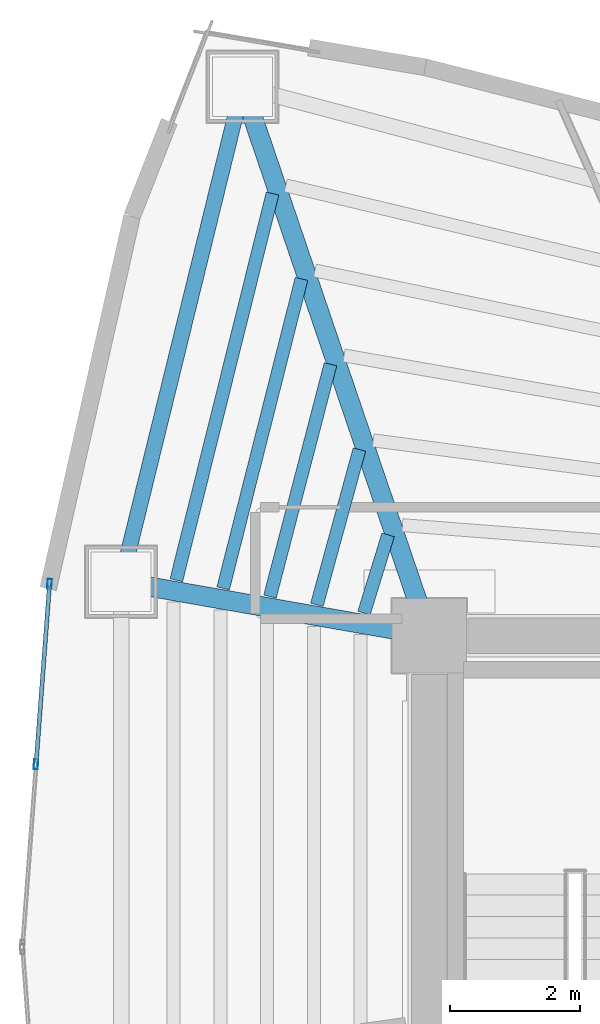
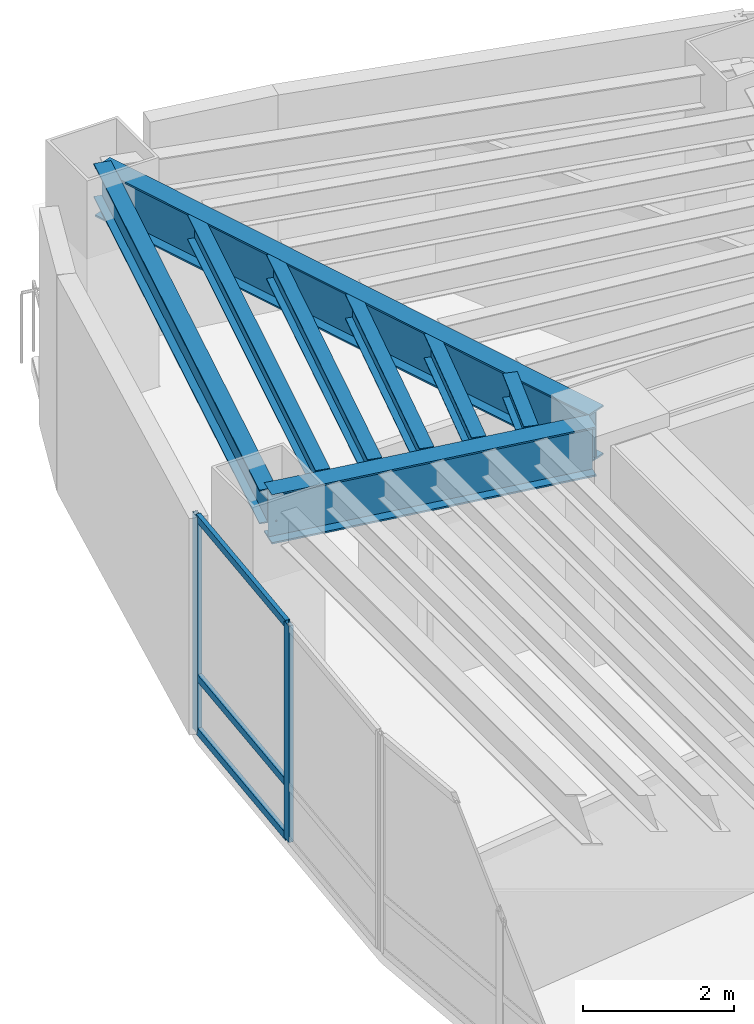
# One storey, part 7 of 15: 8 beams, 5 members, 1 element without a shape of its own.
"""IFC4 building model written with IfcOpenShell, lengths in metres."""

import ifcopenshell
import ifcopenshell.guid

model = None  # the IFC model being written
_history = None  # IfcOwnerHistory: only IFC2X3 demands one
_inside = {}  # id of a spatial element -> (the spatial element, [elements in it])
_under = {}  # id of a project, library or spatial element -> (it, [spatial elements below it])
_declared = {}  # id of a project -> (the project, [libraries it declares])
_typed = {}  # id of a type object -> (the type object, [elements of that type])
_made_of = {}  # id of a material, layer set ... -> (it, [elements and type objects made of it])


def new_model(schema):
    """Start an empty IFC model of exactly this schema.

    Asked for "IFC4X3", IfcOpenShell would pick the latest addendum, in which some entities
    have other attributes; the version numbers below select the first issue.
    IFC2X3 requires an IfcOwnerHistory on every rooted entity: one is made here for all.
    """
    global model, _history
    if schema == "IFC4X3":
        model = ifcopenshell.file(schema_version=(4, 3, 0, 0))
    else:
        model = ifcopenshell.file(schema=schema)
    _inside.clear()
    _under.clear()
    _declared.clear()
    _typed.clear()
    _made_of.clear()
    _history = None
    if model.schema == "IFC2X3":
        org = make("IfcOrganization", Name="unknown")
        user = make(
            "IfcPersonAndOrganization",
            ThePerson=make("IfcPerson", FamilyName="unknown"),
            TheOrganization=org,
        )
        app = make(
            "IfcApplication",
            ApplicationDeveloper=org,
            Version="unknown",
            ApplicationFullName="unknown",
            ApplicationIdentifier="unknown",
        )
        _history = make(
            "IfcOwnerHistory",
            OwningUser=user,
            OwningApplication=app,
            ChangeAction="ADDED",
            CreationDate=0,
        )
    return model


def make(cls, **values):
    """One entity of the class cls with the attributes given. An attribute that is None is left unset."""
    return model.create_entity(
        cls, **{name: value for name, value in values.items() if value is not None}
    )


def rooted(cls, **values):
    """An entity with a GlobalId (a new one), such as an element, a storey or a relation."""
    return make(cls, GlobalId=ifcopenshell.guid.new(), OwnerHistory=_history, **values)


def si_unit(unit_type, name, prefix=None):
    """IfcSIUnit, for example si_unit("LENGTHUNIT", "METRE", prefix="MILLI")."""
    return make("IfcSIUnit", UnitType=unit_type, Prefix=prefix, Name=name)


def assignment(units):
    """IfcUnitAssignment: the units of a project."""
    return None if units is None else make("IfcUnitAssignment", Units=units)


def point(xyz):
    """IfcCartesianPoint."""
    return None if xyz is None else make("IfcCartesianPoint", Coordinates=xyz)


def direction(xyz):
    """IfcDirection."""
    return None if xyz is None else make("IfcDirection", DirectionRatios=xyz)


def frame(location, z_axis=None, x_axis=None):
    """IfcAxis2Placement3D, a coordinate frame: its origin and axes. An axis left out is left unset."""
    return make(
        "IfcAxis2Placement3D",
        Location=point(location),
        Axis=direction(z_axis),
        RefDirection=direction(x_axis),
    )


def frame_2d(location, x_axis=None):
    """IfcAxis2Placement2D, a coordinate frame in the plane: its origin and x axis."""
    return make(
        "IfcAxis2Placement2D", Location=point(location), RefDirection=direction(x_axis)
    )


def origin():
    """The frame at (0, 0, 0) with its axes left unset."""
    return frame((0.0, 0.0, 0.0))


def origin_2d():
    """The frame at (0, 0) in the plane with its x axis left unset."""
    return frame_2d((0.0, 0.0))


def place(relative_to, where):
    """IfcLocalPlacement: puts the frame where relative to a parent placement (None: the world)."""
    return make(
        "IfcLocalPlacement", PlacementRelTo=relative_to, RelativePlacement=where
    )


def context(
    kind, dimensions, precision=None, world=None, true_north=None, identifier=None
):
    """IfcGeometricRepresentationContext, for example the 3D "Model" context."""
    return make(
        "IfcGeometricRepresentationContext",
        ContextIdentifier=identifier,
        ContextType=kind,
        CoordinateSpaceDimension=dimensions,
        Precision=precision,
        WorldCoordinateSystem=world,
        TrueNorth=true_north,
    )


def subcontext(parent, identifier, kind, view, scale=None):
    """IfcGeometricRepresentationSubContext, for example "Body" below "Model"."""
    return make(
        "IfcGeometricRepresentationSubContext",
        ContextIdentifier=identifier,
        ContextType=kind,
        ParentContext=parent,
        TargetScale=scale,
        TargetView=view,
    )


def project(units=None, contexts=None):
    """IfcProject with its units and contexts."""
    return rooted(
        "IfcProject",
        Name="project",
        RepresentationContexts=contexts,
        UnitsInContext=assignment(units),
    )


def spatial(cls, under=None, at=None, **own):
    """A site, building, storey or space (cls), placed at a placement, below another one or the project."""
    s = rooted(cls, ObjectPlacement=at, **own)
    if under is not None:
        _under.setdefault(under.id(), (under, []))[1].append(s)
    return s


def profile(cls, at=None, kind="AREA", **sizes):
    """A parametric profile (cls). Its sizes go by their IFC names, for example OverallWidth=200.0."""
    return make(cls, ProfileType=kind, Position=at, **sizes)


def hollow_rectangle(**sizes):
    """IfcRectangleHollowProfileDef."""
    return profile("IfcRectangleHollowProfileDef", **sizes)


def i_section(**sizes):
    """IfcIShapeProfileDef."""
    return profile("IfcIShapeProfileDef", **sizes)


def extrude(swept, where, along, depth):
    """IfcExtrudedAreaSolid: the profile swept, set in the frame where, extruded along a direction by depth."""
    return make(
        "IfcExtrudedAreaSolid",
        SweptArea=swept,
        Position=where,
        ExtrudedDirection=direction(along),
        Depth=depth,
    )


def shape(context_of_items, identifier, shape_type, items):
    """IfcShapeRepresentation: the items that make up one representation, for example the "Body"."""
    return make(
        "IfcShapeRepresentation",
        ContextOfItems=context_of_items,
        RepresentationIdentifier=identifier,
        RepresentationType=shape_type,
        Items=items,
    )


def material(Name=None, Category=None):
    """IfcMaterial."""
    return make("IfcMaterial", Name=Name, Category=Category)


def layer(
    of_material, thickness, ventilated=None, Name=None, Category=None, Priority=None
):
    """IfcMaterialLayer: one layer of a wall or slab, of a material (None: an air gap)."""
    return make(
        "IfcMaterialLayer",
        Material=of_material,
        LayerThickness=thickness,
        IsVentilated=ventilated,
        Name=Name,
        Category=Category,
        Priority=Priority,
    )


def layer_set(layers, Name=None):
    """IfcMaterialLayerSet."""
    return make("IfcMaterialLayerSet", MaterialLayers=layers, LayerSetName=Name)


def material_profile(
    of_material, cross_section, Name=None, Category=None, Priority=None
):
    """IfcMaterialProfile: a cross section and its material."""
    return make(
        "IfcMaterialProfile",
        Name=Name,
        Material=of_material,
        Profile=cross_section,
        Priority=Priority,
        Category=Category,
    )


def profile_set(profiles, Name=None, composite=None):
    """IfcMaterialProfileSet."""
    return make(
        "IfcMaterialProfileSet",
        Name=Name,
        MaterialProfiles=profiles,
        CompositeProfile=composite,
    )


def made_of(thing, what):
    """Note that an element or type object is made of a material, layer set ...; save() writes the relation."""
    if what is not None:
        _made_of.setdefault(what.id(), (what, []))[1].append(thing)
    return thing


def type_object(cls, material=None, **own):
    """A type object (cls), such as IfcWallType, which elements share."""
    return made_of(rooted(cls, **own), material)


def element(
    cls,
    number,
    at=None,
    inside=None,
    cuts=None,
    type_object=None,
    material=None,
    context=None,
    identifier="Body",
    shape_type=None,
    held_by="IfcProductDefinitionShape",
    body=None,
    shapes=None,
    **own,
):
    """One element of the class cls, such as IfcWall. Its Tag is "e" and its number.

    at: its placement. inside: the storey or other place that contains it. cuts: it is an
    opening in that element (IfcRelVoidsElement). A single representation is given by context,
    identifier, shape_type and body (its items); several are given by shapes. held_by: the class
    of the entity that holds the representations. save() writes the other relations.
    """
    e = rooted(cls, Tag="e%d" % number, ObjectPlacement=at, **own)
    if body is not None:
        shapes = [shape(context, identifier, shape_type, body)]
    if shapes is not None:
        e.Representation = make(held_by, Representations=shapes)
    if inside is not None:
        _inside.setdefault(inside.id(), (inside, []))[1].append(e)
    if cuts is not None:
        rooted(
            "IfcRelVoidsElement", RelatingBuildingElement=cuts, RelatedOpeningElement=e
        )
    if type_object is not None:
        _typed.setdefault(type_object.id(), (type_object, []))[1].append(e)
    return made_of(e, material)


def aggregate(whole, parts):
    """IfcRelAggregates: a whole, such as a stair, and the parts it consists of."""
    return rooted("IfcRelAggregates", RelatingObject=whole, RelatedObjects=parts)


def save(model, path):
    """Write the relations noted so far, then the file.

    IfcRelAggregates (storeys below a building ...), IfcRelContainedInSpatialStructure (elements
    in a storey), IfcRelDefinesByType, IfcRelAssociatesMaterial and IfcRelDeclares: one each for
    every whole, place, type object, material and project.
    """
    for whole, parts in _under.values():
        aggregate(whole, parts)
    for where, things in _inside.values():
        rooted(
            "IfcRelContainedInSpatialStructure",
            RelatedElements=things,
            RelatingStructure=where,
        )
    for kind, things in _typed.values():
        rooted("IfcRelDefinesByType", RelatedObjects=things, RelatingType=kind)
    for what, things in _made_of.values():
        rooted("IfcRelAssociatesMaterial", RelatedObjects=things, RelatingMaterial=what)
    for by, libraries in _declared.values():
        rooted("IfcRelDeclares", RelatingContext=by, RelatedDefinitions=libraries)
    model.write(path)


model = new_model("IFC4")

# Units and contexts
model_context = context("Model", 3, precision=1e-05, world=origin(), true_north=direction((0.0, 1.0)))
body_context = subcontext(model_context, "Body", "Model", "MODEL_VIEW")
ifc_project = project(units=[si_unit("LENGTHUNIT", "METRE"), si_unit("AREAUNIT", "SQUARE_METRE"), si_unit("VOLUMEUNIT", "CUBIC_METRE"), si_unit("PLANEANGLEUNIT", "RADIAN"), si_unit("MASSUNIT", "GRAM", prefix="KILO")], contexts=[model_context])

# Site, building, storey
site_placement = place(None, origin())
site = spatial("IfcSite", under=ifc_project, at=site_placement, CompositionType="ELEMENT")
building_placement = place(site_placement, origin())
building = spatial("IfcBuilding", under=site, at=building_placement, Name="Menara Vayukalpa", CompositionType="ELEMENT")
storey_placement = place(building_placement, frame((0.0, 0.0, 137.4599609375)))
storey = spatial("IfcBuildingStorey", under=building, at=storey_placement, Name="L34", CompositionType="ELEMENT", Elevation=137.4599609375)

# Beams
ifc_material_1 = material(Name="Steel S355", Category="steel")
ifc_material_profile_1 = material_profile(ifc_material_1, i_section(OverallWidth=0.300048828125, OverallDepth=0.800048828125, WebThickness=0.013916015625, FlangeThickness=0.02587890625, at=origin_2d()), Name="WF 800x300x14x26")
ifc_profile_set_1 = profile_set([ifc_material_profile_1], Name="Steel S355")
beam_type_1 = type_object("IfcBeamType", Name="BM-PG3", PredefinedType="BEAM", material=ifc_profile_set_1)
beam_1_placement = place(storey_placement, frame((17.719482421875, 27.03662109375, 3.10009765625), z_axis=(-0.322207533072, 0.946669058136, 0.0), x_axis=(-0.946669058136, -0.322207533072, 0.0)))
element("IfcBeam", 1, at=beam_1_placement, inside=storey, type_object=beam_type_1, Name="L34 Primary Radial Girder RG04", PredefinedType="BEAM", context=body_context, shape_type="SweptSolid", body=[
    extrude(i_section(OverallWidth=0.300048828125, OverallDepth=0.800048828125, WebThickness=0.013916015625, FlangeThickness=0.02587890625, at=origin_2d()), origin(), (0.0, 0.0, 1.0), 8.687255859375),
])
beam_2_placement = place(storey_placement, frame((17.5537109375, 26.843017578125, 3.10009765625), z_axis=(-0.985011651805, 0.172487813505, 0.0), x_axis=(-0.172487813505, -0.985011651805, 0.0)))
element("IfcBeam", 2, at=beam_2_placement, inside=storey, type_object=beam_type_1, Name="L34 Primary Radial Girder RG05", PredefinedType="BEAM", context=body_context, shape_type="SweptSolid", body=[
    extrude(i_section(OverallWidth=0.300048828125, OverallDepth=0.800048828125, WebThickness=0.013916015625, FlangeThickness=0.02587890625, at=origin_2d()), origin(), (0.0, 0.0, 1.0), 4.5732421875),
])
ifc_material_2 = material(Name="Steel S355", Category="steel")
ifc_material_profile_2 = material_profile(ifc_material_2, i_section(OverallWidth=0.199951171875, OverallDepth=0.39990234375, WebThickness=0.008056640625, FlangeThickness=0.012939453125, at=origin_2d()), Name="WF 400x200x8x13")
ifc_profile_set_2 = profile_set([ifc_material_profile_2], Name="Steel S355")
beam_type_2 = type_object("IfcBeamType", Name="BM-SJ2", PredefinedType="JOIST", material=ifc_profile_set_2)
beam_3_placement = place(storey_placement, frame((17.16552734375, 28.3544921875, 3.300048828125), z_axis=(-0.294927758635, -0.955519553534, 0.0), x_axis=(0.955519553534, -0.294927758635, 0.0)))
element("IfcBeam", 3, at=beam_3_placement, inside=storey, type_object=beam_type_2, Name="L34 Secondary Floor Joist SJ04-1", PredefinedType="JOIST", context=body_context, shape_type="SweptSolid", body=[
    extrude(i_section(OverallWidth=0.199951171875, OverallDepth=0.39990234375, WebThickness=0.008056640625, FlangeThickness=0.012939453125, at=origin_2d()), origin(), (0.0, 0.0, 1.0), 1.26318359375),
])
beam_4_placement = place(storey_placement, frame((16.722900390625, 29.668701171875, 3.300048828125), z_axis=(-0.264232640077, -0.964458973683, 0.0), x_axis=(0.964458973683, -0.264232640077, 0.0)))
element("IfcBeam", 4, at=beam_4_placement, inside=storey, type_object=beam_type_2, Name="L34 Secondary Floor Joist SJ04-2", PredefinedType="JOIST", context=body_context, shape_type="SweptSolid", body=[
    extrude(i_section(OverallWidth=0.199951171875, OverallDepth=0.39990234375, WebThickness=0.008056640625, FlangeThickness=0.012939453125, at=origin_2d()), origin(), (0.0, 0.0, 1.0), 2.481689453125),
])
beam_5_placement = place(storey_placement, frame((16.277099609375, 30.984130859375, 3.300048828125), z_axis=(-0.252021814079, -0.967721553562, 0.0), x_axis=(0.967721553562, -0.252021814079, 0.0)))
element("IfcBeam", 5, at=beam_5_placement, inside=storey, type_object=beam_type_2, Name="L34 Secondary Floor Joist SJ04-3", PredefinedType="JOIST", context=body_context, shape_type="SweptSolid", body=[
    extrude(i_section(OverallWidth=0.199951171875, OverallDepth=0.39990234375, WebThickness=0.008056640625, FlangeThickness=0.012939453125, at=origin_2d()), origin(), (0.0, 0.0, 1.0), 3.701416015625),
])
beam_6_placement = place(storey_placement, frame((15.830322265625, 32.299560546875, 3.300048828125), z_axis=(-0.245440749471, -0.969411593958, 0.0), x_axis=(0.969411593958, -0.245440749471, 0.0)))
element("IfcBeam", 6, at=beam_6_placement, inside=storey, type_object=beam_type_2, Name="L34 Secondary Floor Joist SJ04-4", PredefinedType="JOIST", context=body_context, shape_type="SweptSolid", body=[
    extrude(i_section(OverallWidth=0.199951171875, OverallDepth=0.39990234375, WebThickness=0.008056640625, FlangeThickness=0.012939453125, at=origin_2d()), origin(), (0.0, 0.0, 1.0), 4.921875),
])
beam_7_placement = place(storey_placement, frame((15.38330078125, 33.615234375, 3.300048828125), z_axis=(-0.241356999927, -0.970436395951, 0.0), x_axis=(0.970436395951, -0.241356999927, 0.0)))
element("IfcBeam", 7, at=beam_7_placement, inside=storey, type_object=beam_type_2, Name="L34 Secondary Floor Joist SJ04-5", PredefinedType="JOIST", context=body_context, shape_type="SweptSolid", body=[
    extrude(i_section(OverallWidth=0.199951171875, OverallDepth=0.39990234375, WebThickness=0.008056640625, FlangeThickness=0.012939453125, at=origin_2d()), origin(), (0.0, 0.0, 1.0), 6.14208984375),
])
ifc_material_3 = material(Name="Steel S355", Category="steel")
ifc_material_profile_3 = material_profile(ifc_material_3, i_section(OverallWidth=0.239990234375, OverallDepth=0.550048828125, WebThickness=0.010986328125, FlangeThickness=0.01904296875, at=origin_2d()), Name="WF 550x240x11x19")
ifc_profile_set_3 = profile_set([ifc_material_profile_3], Name="Steel S355")
beam_type_3 = type_object("IfcBeamType", Name="BM-SP2", PredefinedType="SPANDREL", material=ifc_profile_set_3)
beam_8_placement = place(storey_placement, frame((14.92041015625, 35.260498046875, 3.22509765625), z_axis=(-0.238240335346, -0.971206230733, 0.0), x_axis=(0.971206230733, -0.238240335346, 0.0)))
element("IfcBeam", 8, at=beam_8_placement, inside=storey, type_object=beam_type_3, Name="L34 Perimeter Spandrel Beam SP04", PredefinedType="SPANDREL", context=body_context, shape_type="SweptSolid", body=[
    extrude(i_section(OverallWidth=0.239990234375, OverallDepth=0.550048828125, WebThickness=0.010986328125, FlangeThickness=0.01904296875, at=origin_2d()), origin(), (0.0, 0.0, 1.0), 7.854736328125),
])

# Curtain wall, members
ifc_material_4 = material(Name="Anodised Terracotta Aluminium Alloy 6063-T6", Category="masonry")
ifc_layer = layer(ifc_material_4, 0.14990234375)
ifc_layer_set = layer_set([ifc_layer], Name="Anodised Terracotta Aluminium Alloy 6063-T6")
curtain_wall_type = type_object("IfcCurtainWallType", Name="CW-CW3", PredefinedType="USERDEFINED", material=ifc_layer_set)
curtain_wall_placement = place(storey_placement, origin())
curtain_wall = element("IfcCurtainWall", 9, at=curtain_wall_placement, inside=storey, type_object=curtain_wall_type, Name="L34 Mid Rise Terracotta Ribbon Curtain Wall CW3 10", ObjectType="UNITISED", PredefinedType="USERDEFINED")
ifc_material_5 = material(Name="Anodised Terracotta Aluminium Alloy 6063-T6", Category="masonry")
ifc_material_profile_4 = material_profile(ifc_material_5, hollow_rectangle(XDim=0.06494140625, YDim=0.14990234375, WallThickness=0.00341796875, at=origin_2d()), Name="ALU 65x150x3.5")
ifc_profile_set_4 = profile_set([ifc_material_profile_4], Name="Anodised Terracotta Aluminium Alloy 6063-T6")
member_type_1 = type_object("IfcMemberType", Name="CWM-CW3", PredefinedType="MULLION", material=ifc_profile_set_4)
member_1_placement = place(storey_placement, frame((11.94677734375, 27.599365234375, 0.0), z_axis=(0.0, 0.0, 1.0), x_axis=(0.997199111801, -0.074792589364, 0.0)))
member_1 = element("IfcMember", 10, at=member_1_placement, type_object=member_type_1, Name="CW3 mullion 1", PredefinedType="MULLION", context=body_context, shape_type="SweptSolid", body=[
    extrude(hollow_rectangle(XDim=0.06494140625, YDim=0.14990234375, WallThickness=0.00341796875, at=origin_2d()), origin(), (0.0, 0.0, 1.0), 3.5),
])
member_2_placement = place(storey_placement, frame((11.73779296875, 24.81591796875, 0.0), z_axis=(0.0, 0.0, 1.0), x_axis=(0.997199111801, -0.074792589364, 0.0)))
member_2 = element("IfcMember", 11, at=member_2_placement, type_object=member_type_1, Name="CW3 mullion 2", PredefinedType="MULLION", context=body_context, shape_type="SweptSolid", body=[
    extrude(hollow_rectangle(XDim=0.06494140625, YDim=0.14990234375, WallThickness=0.00341796875, at=origin_2d()), origin(), (0.0, 0.0, 1.0), 3.5),
])
ifc_material_6 = material(Name="Anodised Terracotta Aluminium Alloy 6063-T6", Category="masonry")
ifc_material_profile_5 = material_profile(ifc_material_6, hollow_rectangle(XDim=0.06494140625, YDim=0.1201171875, WallThickness=0.00341796875, at=origin_2d()), Name="ALU 65x120x3.5")
ifc_profile_set_5 = profile_set([ifc_material_profile_5], Name="Anodised Terracotta Aluminium Alloy 6063-T6")
member_type_2 = type_object("IfcMemberType", Name="CWT-CW3", PredefinedType="USERDEFINED", material=ifc_profile_set_5)
member_3_placement = place(storey_placement, frame((11.9443359375, 27.56689453125, 0.032470703125), z_axis=(-0.074867870211, -0.997193462679, 0.0), x_axis=(0.997193462679, -0.074867870211, 0.0)))
member_3 = element("IfcMember", 12, at=member_3_placement, type_object=member_type_2, Name="CW3 transom 1.1", ObjectType="TRANSOM", PredefinedType="USERDEFINED", context=body_context, shape_type="SweptSolid", body=[
    extrude(hollow_rectangle(XDim=0.06494140625, YDim=0.1201171875, WallThickness=0.00341796875, at=origin_2d()), origin(), (0.0, 0.0, 1.0), 2.72607421875),
])
member_4_placement = place(storey_placement, frame((11.9443359375, 27.56689453125, 0.900146484375), z_axis=(-0.074867870211, -0.997193462679, 0.0), x_axis=(0.997193462679, -0.074867870211, 0.0)))
member_4 = element("IfcMember", 13, at=member_4_placement, type_object=member_type_2, Name="CW3 transom 1.2", ObjectType="TRANSOM", PredefinedType="USERDEFINED", context=body_context, shape_type="SweptSolid", body=[
    extrude(hollow_rectangle(XDim=0.06494140625, YDim=0.1201171875, WallThickness=0.00341796875, at=origin_2d()), origin(), (0.0, 0.0, 1.0), 2.72607421875),
])
member_5_placement = place(storey_placement, frame((11.9443359375, 27.56689453125, 3.467529296875), z_axis=(-0.074867870211, -0.997193462679, 0.0), x_axis=(0.997193462679, -0.074867870211, 0.0)))
member_5 = element("IfcMember", 14, at=member_5_placement, type_object=member_type_2, Name="CW3 transom 1.3", ObjectType="TRANSOM", PredefinedType="USERDEFINED", context=body_context, shape_type="SweptSolid", body=[
    extrude(hollow_rectangle(XDim=0.06494140625, YDim=0.1201171875, WallThickness=0.00341796875, at=origin_2d()), origin(), (0.0, 0.0, 1.0), 2.72607421875),
])
aggregate(curtain_wall, [member_1, member_2, member_3, member_4, member_5])

save(model, "model.ifc")
